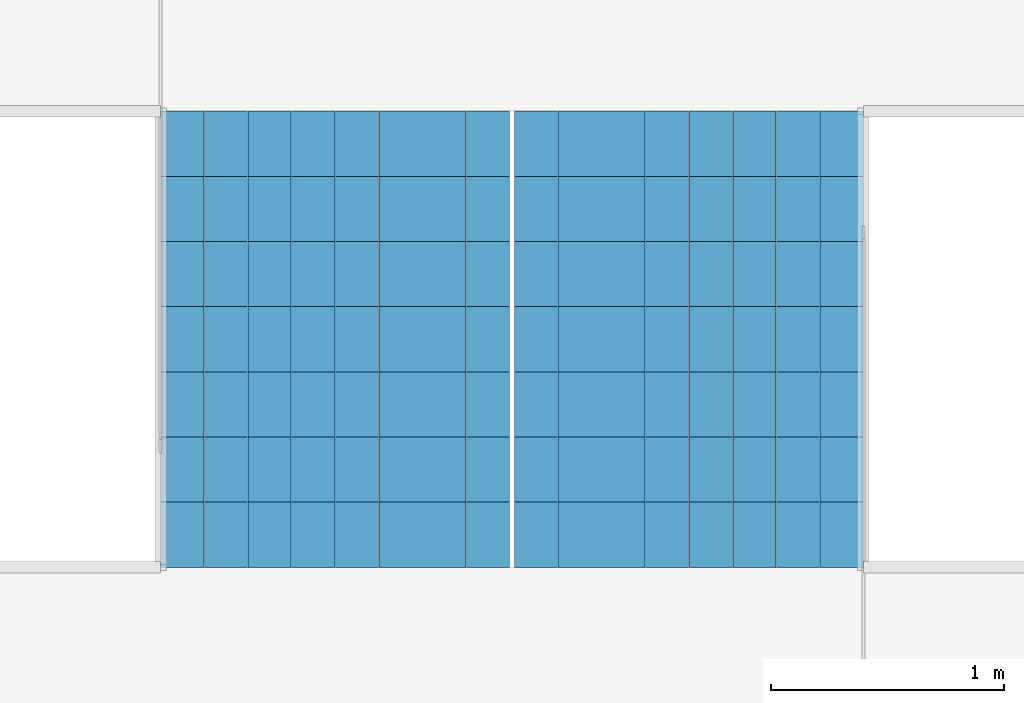
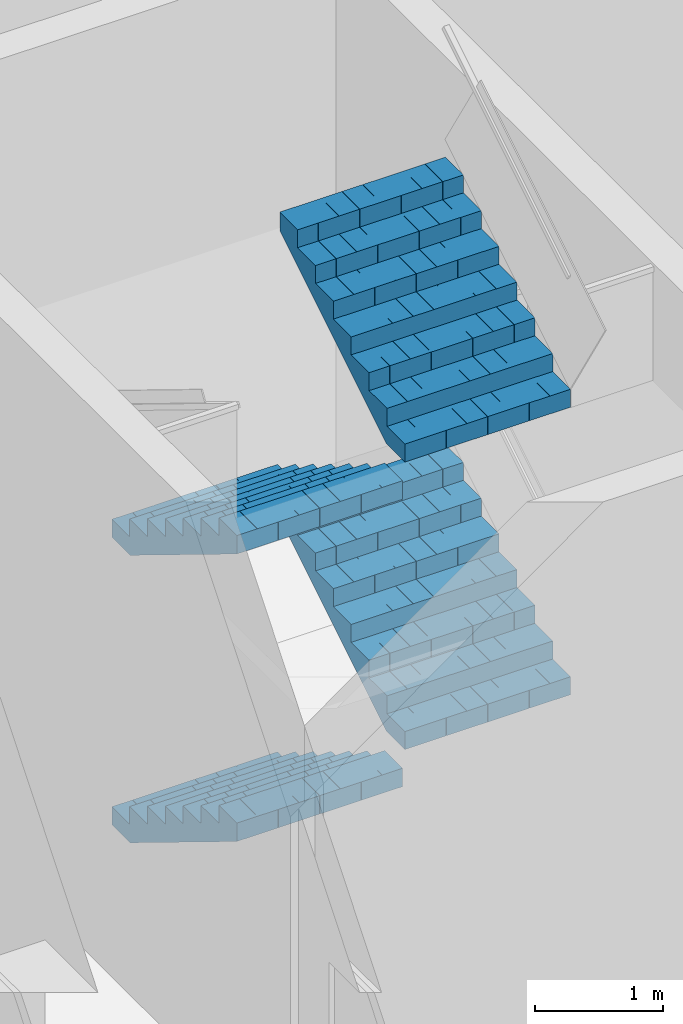
# One storey, part 25 of 27: 4 stair flights, 1 element without a shape of its own.
"""IFC4 building model written with IfcOpenShell, lengths in metres."""

from ifc_helpers import new_model, si_unit, direction, frame, origin, place, context, subcontext, project, spatial, polyline, outline, extrude, material, type_object, element, aggregate, save


model = new_model("IFC4")

# Units and contexts
model_context = context("Model", 3, precision=1e-05, world=origin(), true_north=direction((0.0, 1.0)))
body_context = subcontext(model_context, "Body", "Model", "MODEL_VIEW")
ifc_project = project(units=[si_unit("LENGTHUNIT", "METRE"), si_unit("AREAUNIT", "SQUARE_METRE"), si_unit("VOLUMEUNIT", "CUBIC_METRE"), si_unit("PLANEANGLEUNIT", "RADIAN"), si_unit("MASSUNIT", "GRAM", prefix="KILO")], contexts=[model_context])

# Site, building, storey
site_placement = place(None, origin())
site = spatial("IfcSite", under=ifc_project, at=site_placement, CompositionType="ELEMENT")
building_placement = place(site_placement, origin())
building = spatial("IfcBuilding", under=site, at=building_placement, Name="Kolab Exchange Tower", CompositionType="ELEMENT")
storey_placement = place(building_placement, frame((0.0, 0.0, 22.39990234375)))
storey = spatial("IfcBuildingStorey", under=building, at=storey_placement, Name="L04", CompositionType="ELEMENT", Elevation=22.39990234375)

# Stair, stair flights
ifc_material = material(Name="Concrete C50/60", Category="concrete")
stair_type = type_object("IfcStairType", Name="STAIR ST4 RISER 171.9", PredefinedType="DOUBLE_RETURN_STAIR", material=ifc_material)
stair_placement = place(storey_placement, origin())
stair = element("IfcStair", 1, at=stair_placement, inside=storey, type_object=stair_type, Name="Stair 4", PredefinedType="DOUBLE_RETURN_STAIR")
stair_flight_type = type_object("IfcStairFlightType", Name="STAIR FLIGHT 1500 RISER 171.9", PredefinedType="STRAIGHT", material=ifc_material)
stair_flight_1_placement = place(storey_placement, frame((18.43994140625, 0.64990234375, 0.0), z_axis=(0.0, 0.0, 1.0), x_axis=(0.0, -1.0, 0.0)))
stair_flight_1 = element("IfcStairFlight", 2, at=stair_flight_1_placement, type_object=stair_flight_type, Name="ST4 flight 1", NumberOfRisers=8, NumberOfTreads=7, PredefinedType="STRAIGHT", RiserHeight=0.171875, TreadLength=0.28, context=body_context, shape_type="SweptSolid", body=[
    extrude(outline(polyline([(0.0, 0.0), (0.0, 0.171875), (0.280029296875, 0.171875), (0.280029296875, 0.34375), (0.56005859375, 0.34375), (0.56005859375, 0.515625), (0.840087890625, 0.515625), (0.840087890625, 0.6875), (1.1201171875, 0.6875), (1.1201171875, 0.859375), (1.39990234375, 0.859375), (1.39990234375, 1.03125), (1.679931640625, 1.03125), (1.679931640625, 1.203125), (1.9599609375, 1.203125), (1.9599609375, 1.375), (1.9599609375, 1.02734375), (0.28662109375, 0.0), (0.0, 0.0)])), frame((0.0, 0.75, 0.0), z_axis=(0.0, -1.0, 0.0), x_axis=(1.0, 0.0, 0.0)), (0.0, 0.0, 1.0), 0.185791015625),
    extrude(outline(polyline([(0.0, 0.0), (0.0, 0.171875), (0.280029296875, 0.171875), (0.280029296875, 0.34375), (0.56005859375, 0.34375), (0.56005859375, 0.515625), (0.840087890625, 0.515625), (0.840087890625, 0.6875), (1.1201171875, 0.6875), (1.1201171875, 0.859375), (1.39990234375, 0.859375), (1.39990234375, 1.03125), (1.679931640625, 1.03125), (1.679931640625, 1.203125), (1.9599609375, 1.203125), (1.9599609375, 1.375), (1.9599609375, 1.02734375), (0.28662109375, 0.0), (0.0, 0.0)])), frame((0.0, 0.562255859375, 0.0), z_axis=(0.0, -1.0, 0.0), x_axis=(1.0, 0.0, 0.0)), (0.0, 0.0, 1.0), 0.185791015625),
    extrude(outline(polyline([(0.0, 0.0), (0.0, 0.171875), (0.280029296875, 0.171875), (0.280029296875, 0.34375), (0.56005859375, 0.34375), (0.56005859375, 0.515625), (0.840087890625, 0.515625), (0.840087890625, 0.6875), (1.1201171875, 0.6875), (1.1201171875, 0.859375), (1.39990234375, 0.859375), (1.39990234375, 1.03125), (1.679931640625, 1.03125), (1.679931640625, 1.203125), (1.9599609375, 1.203125), (1.9599609375, 1.375), (1.9599609375, 1.02734375), (0.28662109375, 0.0), (0.0, 0.0)])), frame((0.0, 0.37451171875, 0.0), z_axis=(0.0, -1.0, 0.0), x_axis=(1.0, 0.0, 0.0)), (0.0, 0.0, 1.0), 0.185791015625),
    extrude(outline(polyline([(0.0, 0.0), (0.0, 0.171875), (0.280029296875, 0.171875), (0.280029296875, 0.34375), (0.56005859375, 0.34375), (0.56005859375, 0.515625), (0.840087890625, 0.515625), (0.840087890625, 0.6875), (1.1201171875, 0.6875), (1.1201171875, 0.859375), (1.39990234375, 0.859375), (1.39990234375, 1.03125), (1.679931640625, 1.03125), (1.679931640625, 1.203125), (1.9599609375, 1.203125), (1.9599609375, 1.375), (1.9599609375, 1.02734375), (0.28662109375, 0.0), (0.0, 0.0)])), frame((0.0, 0.186767578125, 0.0), z_axis=(0.0, -1.0, 0.0), x_axis=(1.0, 0.0, 0.0)), (0.0, 0.0, 1.0), 0.185791015625),
    extrude(outline(polyline([(0.0, 0.0), (0.0, 0.171875), (0.280029296875, 0.171875), (0.280029296875, 0.34375), (0.56005859375, 0.34375), (0.56005859375, 0.515625), (0.840087890625, 0.515625), (0.840087890625, 0.6875), (1.1201171875, 0.6875), (1.1201171875, 0.859375), (1.39990234375, 0.859375), (1.39990234375, 1.03125), (1.679931640625, 1.03125), (1.679931640625, 1.203125), (1.9599609375, 1.203125), (1.9599609375, 1.375), (1.9599609375, 1.02734375), (0.28662109375, 0.0), (0.0, 0.0)])), frame((0.0, -0.0009765625, 0.0), z_axis=(0.0, -1.0, 0.0), x_axis=(1.0, 0.0, 0.0)), (0.0, 0.0, 1.0), 0.185791015625),
    extrude(outline(polyline([(0.0, 0.0), (0.0, 0.171875), (0.280029296875, 0.171875), (0.280029296875, 0.34375), (0.56005859375, 0.34375), (0.56005859375, 0.515625), (0.840087890625, 0.515625), (0.840087890625, 0.6875), (1.1201171875, 0.6875), (1.1201171875, 0.859375), (1.39990234375, 0.859375), (1.39990234375, 1.03125), (1.679931640625, 1.03125), (1.679931640625, 1.203125), (1.9599609375, 1.203125), (1.9599609375, 1.375), (1.9599609375, 1.02734375), (0.28662109375, 0.0), (0.0, 0.0)])), frame((0.0, -0.188720703125, 0.0), z_axis=(0.0, -1.0, 0.0), x_axis=(1.0, 0.0, 0.0)), (0.0, 0.0, 1.0), 0.185791015625),
    extrude(outline(polyline([(0.0, 0.0), (0.0, 0.171875), (0.280029296875, 0.171875), (0.280029296875, 0.34375), (0.56005859375, 0.34375), (0.56005859375, 0.515625), (0.840087890625, 0.515625), (0.840087890625, 0.6875), (1.1201171875, 0.6875), (1.1201171875, 0.859375), (1.39990234375, 0.859375), (1.39990234375, 1.03125), (1.679931640625, 1.03125), (1.679931640625, 1.203125), (1.9599609375, 1.203125), (1.9599609375, 1.375), (1.9599609375, 1.02734375), (0.28662109375, 0.0), (0.0, 0.0)])), frame((0.0, -0.37646484375, 0.0), z_axis=(0.0, -1.0, 0.0), x_axis=(1.0, 0.0, 0.0)), (0.0, 0.0, 1.0), 0.185791015625),
    extrude(outline(polyline([(0.0, 0.0), (0.0, 0.171875), (0.280029296875, 0.171875), (0.280029296875, 0.34375), (0.56005859375, 0.34375), (0.56005859375, 0.515625), (0.840087890625, 0.515625), (0.840087890625, 0.6875), (1.1201171875, 0.6875), (1.1201171875, 0.859375), (1.39990234375, 0.859375), (1.39990234375, 1.03125), (1.679931640625, 1.03125), (1.679931640625, 1.203125), (1.9599609375, 1.203125), (1.9599609375, 1.375), (1.9599609375, 1.02734375), (0.28662109375, 0.0), (0.0, 0.0)])), frame((0.0, -0.564208984375, 0.0), z_axis=(0.0, -1.0, 0.0), x_axis=(1.0, 0.0, 0.0)), (0.0, 0.0, 1.0), 0.185791015625),
])
stair_flight_2_placement = place(storey_placement, frame((19.9599609375, -1.31005859375, 1.375), z_axis=(0.0, 0.0, 1.0), x_axis=(0.0, 1.0, 0.0)))
stair_flight_2 = element("IfcStairFlight", 3, at=stair_flight_2_placement, type_object=stair_flight_type, Name="ST4 flight 2", NumberOfRisers=8, NumberOfTreads=7, PredefinedType="STRAIGHT", RiserHeight=0.171875, TreadLength=0.28, context=body_context, shape_type="SweptSolid", body=[
    extrude(outline(polyline([(0.0, 0.0), (0.0, 0.171875), (0.280029296875, 0.171875), (0.280029296875, 0.34375), (0.56005859375, 0.34375), (0.56005859375, 0.515625), (0.840087890625, 0.515625), (0.840087890625, 0.6875), (1.1201171875, 0.6875), (1.1201171875, 0.859375), (1.39990234375, 0.859375), (1.39990234375, 1.03125), (1.679931640625, 1.03125), (1.679931640625, 1.203125), (1.9599609375, 1.203125), (1.9599609375, 1.375), (1.9599609375, 1.02734375), (0.28662109375, 0.0), (0.0, 0.0)])), frame((0.0, 0.75, 0.0), z_axis=(0.0, -1.0, 0.0), x_axis=(1.0, 0.0, 0.0)), (0.0, 0.0, 1.0), 0.185791015625),
    extrude(outline(polyline([(0.0, 0.0), (0.0, 0.171875), (0.280029296875, 0.171875), (0.280029296875, 0.34375), (0.56005859375, 0.34375), (0.56005859375, 0.515625), (0.840087890625, 0.515625), (0.840087890625, 0.6875), (1.1201171875, 0.6875), (1.1201171875, 0.859375), (1.39990234375, 0.859375), (1.39990234375, 1.03125), (1.679931640625, 1.03125), (1.679931640625, 1.203125), (1.9599609375, 1.203125), (1.9599609375, 1.375), (1.9599609375, 1.02734375), (0.28662109375, 0.0), (0.0, 0.0)])), frame((0.0, 0.562255859375, 0.0), z_axis=(0.0, -1.0, 0.0), x_axis=(1.0, 0.0, 0.0)), (0.0, 0.0, 1.0), 0.185791015625),
    extrude(outline(polyline([(0.0, 0.0), (0.0, 0.171875), (0.280029296875, 0.171875), (0.280029296875, 0.34375), (0.56005859375, 0.34375), (0.56005859375, 0.515625), (0.840087890625, 0.515625), (0.840087890625, 0.6875), (1.1201171875, 0.6875), (1.1201171875, 0.859375), (1.39990234375, 0.859375), (1.39990234375, 1.03125), (1.679931640625, 1.03125), (1.679931640625, 1.203125), (1.9599609375, 1.203125), (1.9599609375, 1.375), (1.9599609375, 1.02734375), (0.28662109375, 0.0), (0.0, 0.0)])), frame((0.0, 0.37451171875, 0.0), z_axis=(0.0, -1.0, 0.0), x_axis=(1.0, 0.0, 0.0)), (0.0, 0.0, 1.0), 0.185791015625),
    extrude(outline(polyline([(0.0, 0.0), (0.0, 0.171875), (0.280029296875, 0.171875), (0.280029296875, 0.34375), (0.56005859375, 0.34375), (0.56005859375, 0.515625), (0.840087890625, 0.515625), (0.840087890625, 0.6875), (1.1201171875, 0.6875), (1.1201171875, 0.859375), (1.39990234375, 0.859375), (1.39990234375, 1.03125), (1.679931640625, 1.03125), (1.679931640625, 1.203125), (1.9599609375, 1.203125), (1.9599609375, 1.375), (1.9599609375, 1.02734375), (0.28662109375, 0.0), (0.0, 0.0)])), frame((0.0, 0.186767578125, 0.0), z_axis=(0.0, -1.0, 0.0), x_axis=(1.0, 0.0, 0.0)), (0.0, 0.0, 1.0), 0.185791015625),
    extrude(outline(polyline([(0.0, 0.0), (0.0, 0.171875), (0.280029296875, 0.171875), (0.280029296875, 0.34375), (0.56005859375, 0.34375), (0.56005859375, 0.515625), (0.840087890625, 0.515625), (0.840087890625, 0.6875), (1.1201171875, 0.6875), (1.1201171875, 0.859375), (1.39990234375, 0.859375), (1.39990234375, 1.03125), (1.679931640625, 1.03125), (1.679931640625, 1.203125), (1.9599609375, 1.203125), (1.9599609375, 1.375), (1.9599609375, 1.02734375), (0.28662109375, 0.0), (0.0, 0.0)])), frame((0.0, -0.0009765625, 0.0), z_axis=(0.0, -1.0, 0.0), x_axis=(1.0, 0.0, 0.0)), (0.0, 0.0, 1.0), 0.185791015625),
    extrude(outline(polyline([(0.0, 0.0), (0.0, 0.171875), (0.280029296875, 0.171875), (0.280029296875, 0.34375), (0.56005859375, 0.34375), (0.56005859375, 0.515625), (0.840087890625, 0.515625), (0.840087890625, 0.6875), (1.1201171875, 0.6875), (1.1201171875, 0.859375), (1.39990234375, 0.859375), (1.39990234375, 1.03125), (1.679931640625, 1.03125), (1.679931640625, 1.203125), (1.9599609375, 1.203125), (1.9599609375, 1.375), (1.9599609375, 1.02734375), (0.28662109375, 0.0), (0.0, 0.0)])), frame((0.0, -0.188720703125, 0.0), z_axis=(0.0, -1.0, 0.0), x_axis=(1.0, 0.0, 0.0)), (0.0, 0.0, 1.0), 0.185791015625),
    extrude(outline(polyline([(0.0, 0.0), (0.0, 0.171875), (0.280029296875, 0.171875), (0.280029296875, 0.34375), (0.56005859375, 0.34375), (0.56005859375, 0.515625), (0.840087890625, 0.515625), (0.840087890625, 0.6875), (1.1201171875, 0.6875), (1.1201171875, 0.859375), (1.39990234375, 0.859375), (1.39990234375, 1.03125), (1.679931640625, 1.03125), (1.679931640625, 1.203125), (1.9599609375, 1.203125), (1.9599609375, 1.375), (1.9599609375, 1.02734375), (0.28662109375, 0.0), (0.0, 0.0)])), frame((0.0, -0.37646484375, 0.0), z_axis=(0.0, -1.0, 0.0), x_axis=(1.0, 0.0, 0.0)), (0.0, 0.0, 1.0), 0.185791015625),
    extrude(outline(polyline([(0.0, 0.0), (0.0, 0.171875), (0.280029296875, 0.171875), (0.280029296875, 0.34375), (0.56005859375, 0.34375), (0.56005859375, 0.515625), (0.840087890625, 0.515625), (0.840087890625, 0.6875), (1.1201171875, 0.6875), (1.1201171875, 0.859375), (1.39990234375, 0.859375), (1.39990234375, 1.03125), (1.679931640625, 1.03125), (1.679931640625, 1.203125), (1.9599609375, 1.203125), (1.9599609375, 1.375), (1.9599609375, 1.02734375), (0.28662109375, 0.0), (0.0, 0.0)])), frame((0.0, -0.564208984375, 0.0), z_axis=(0.0, -1.0, 0.0), x_axis=(1.0, 0.0, 0.0)), (0.0, 0.0, 1.0), 0.185791015625),
])
stair_flight_3_placement = place(storey_placement, frame((18.43994140625, 0.64990234375, 2.75), z_axis=(0.0, 0.0, 1.0), x_axis=(0.0, -1.0, 0.0)))
stair_flight_3 = element("IfcStairFlight", 4, at=stair_flight_3_placement, type_object=stair_flight_type, Name="ST4 flight 3", NumberOfRisers=8, NumberOfTreads=7, PredefinedType="STRAIGHT", RiserHeight=0.171875, TreadLength=0.28, context=body_context, shape_type="SweptSolid", body=[
    extrude(outline(polyline([(0.0, 0.0), (0.0, 0.171875), (0.280029296875, 0.171875), (0.280029296875, 0.34375), (0.56005859375, 0.34375), (0.56005859375, 0.515625), (0.840087890625, 0.515625), (0.840087890625, 0.6875), (1.1201171875, 0.6875), (1.1201171875, 0.859375), (1.39990234375, 0.859375), (1.39990234375, 1.03125), (1.679931640625, 1.03125), (1.679931640625, 1.203125), (1.9599609375, 1.203125), (1.9599609375, 1.375), (1.9599609375, 1.02734375), (0.28662109375, 0.0), (0.0, 0.0)])), frame((0.0, 0.75, 0.0), z_axis=(0.0, -1.0, 0.0), x_axis=(1.0, 0.0, 0.0)), (0.0, 0.0, 1.0), 0.185791015625),
    extrude(outline(polyline([(0.0, 0.0), (0.0, 0.171875), (0.280029296875, 0.171875), (0.280029296875, 0.34375), (0.56005859375, 0.34375), (0.56005859375, 0.515625), (0.840087890625, 0.515625), (0.840087890625, 0.6875), (1.1201171875, 0.6875), (1.1201171875, 0.859375), (1.39990234375, 0.859375), (1.39990234375, 1.03125), (1.679931640625, 1.03125), (1.679931640625, 1.203125), (1.9599609375, 1.203125), (1.9599609375, 1.375), (1.9599609375, 1.02734375), (0.28662109375, 0.0), (0.0, 0.0)])), frame((0.0, 0.562255859375, 0.0), z_axis=(0.0, -1.0, 0.0), x_axis=(1.0, 0.0, 0.0)), (0.0, 0.0, 1.0), 0.185791015625),
    extrude(outline(polyline([(0.0, 0.0), (0.0, 0.171875), (0.280029296875, 0.171875), (0.280029296875, 0.34375), (0.56005859375, 0.34375), (0.56005859375, 0.515625), (0.840087890625, 0.515625), (0.840087890625, 0.6875), (1.1201171875, 0.6875), (1.1201171875, 0.859375), (1.39990234375, 0.859375), (1.39990234375, 1.03125), (1.679931640625, 1.03125), (1.679931640625, 1.203125), (1.9599609375, 1.203125), (1.9599609375, 1.375), (1.9599609375, 1.02734375), (0.28662109375, 0.0), (0.0, 0.0)])), frame((0.0, 0.37451171875, 0.0), z_axis=(0.0, -1.0, 0.0), x_axis=(1.0, 0.0, 0.0)), (0.0, 0.0, 1.0), 0.185791015625),
    extrude(outline(polyline([(0.0, 0.0), (0.0, 0.171875), (0.280029296875, 0.171875), (0.280029296875, 0.34375), (0.56005859375, 0.34375), (0.56005859375, 0.515625), (0.840087890625, 0.515625), (0.840087890625, 0.6875), (1.1201171875, 0.6875), (1.1201171875, 0.859375), (1.39990234375, 0.859375), (1.39990234375, 1.03125), (1.679931640625, 1.03125), (1.679931640625, 1.203125), (1.9599609375, 1.203125), (1.9599609375, 1.375), (1.9599609375, 1.02734375), (0.28662109375, 0.0), (0.0, 0.0)])), frame((0.0, 0.186767578125, 0.0), z_axis=(0.0, -1.0, 0.0), x_axis=(1.0, 0.0, 0.0)), (0.0, 0.0, 1.0), 0.185791015625),
    extrude(outline(polyline([(0.0, 0.0), (0.0, 0.171875), (0.280029296875, 0.171875), (0.280029296875, 0.34375), (0.56005859375, 0.34375), (0.56005859375, 0.515625), (0.840087890625, 0.515625), (0.840087890625, 0.6875), (1.1201171875, 0.6875), (1.1201171875, 0.859375), (1.39990234375, 0.859375), (1.39990234375, 1.03125), (1.679931640625, 1.03125), (1.679931640625, 1.203125), (1.9599609375, 1.203125), (1.9599609375, 1.375), (1.9599609375, 1.02734375), (0.28662109375, 0.0), (0.0, 0.0)])), frame((0.0, -0.0009765625, 0.0), z_axis=(0.0, -1.0, 0.0), x_axis=(1.0, 0.0, 0.0)), (0.0, 0.0, 1.0), 0.185791015625),
    extrude(outline(polyline([(0.0, 0.0), (0.0, 0.171875), (0.280029296875, 0.171875), (0.280029296875, 0.34375), (0.56005859375, 0.34375), (0.56005859375, 0.515625), (0.840087890625, 0.515625), (0.840087890625, 0.6875), (1.1201171875, 0.6875), (1.1201171875, 0.859375), (1.39990234375, 0.859375), (1.39990234375, 1.03125), (1.679931640625, 1.03125), (1.679931640625, 1.203125), (1.9599609375, 1.203125), (1.9599609375, 1.375), (1.9599609375, 1.02734375), (0.28662109375, 0.0), (0.0, 0.0)])), frame((0.0, -0.188720703125, 0.0), z_axis=(0.0, -1.0, 0.0), x_axis=(1.0, 0.0, 0.0)), (0.0, 0.0, 1.0), 0.185791015625),
    extrude(outline(polyline([(0.0, 0.0), (0.0, 0.171875), (0.280029296875, 0.171875), (0.280029296875, 0.34375), (0.56005859375, 0.34375), (0.56005859375, 0.515625), (0.840087890625, 0.515625), (0.840087890625, 0.6875), (1.1201171875, 0.6875), (1.1201171875, 0.859375), (1.39990234375, 0.859375), (1.39990234375, 1.03125), (1.679931640625, 1.03125), (1.679931640625, 1.203125), (1.9599609375, 1.203125), (1.9599609375, 1.375), (1.9599609375, 1.02734375), (0.28662109375, 0.0), (0.0, 0.0)])), frame((0.0, -0.37646484375, 0.0), z_axis=(0.0, -1.0, 0.0), x_axis=(1.0, 0.0, 0.0)), (0.0, 0.0, 1.0), 0.185791015625),
    extrude(outline(polyline([(0.0, 0.0), (0.0, 0.171875), (0.280029296875, 0.171875), (0.280029296875, 0.34375), (0.56005859375, 0.34375), (0.56005859375, 0.515625), (0.840087890625, 0.515625), (0.840087890625, 0.6875), (1.1201171875, 0.6875), (1.1201171875, 0.859375), (1.39990234375, 0.859375), (1.39990234375, 1.03125), (1.679931640625, 1.03125), (1.679931640625, 1.203125), (1.9599609375, 1.203125), (1.9599609375, 1.375), (1.9599609375, 1.02734375), (0.28662109375, 0.0), (0.0, 0.0)])), frame((0.0, -0.564208984375, 0.0), z_axis=(0.0, -1.0, 0.0), x_axis=(1.0, 0.0, 0.0)), (0.0, 0.0, 1.0), 0.185791015625),
])
stair_flight_4_placement = place(storey_placement, frame((19.9599609375, -1.31005859375, 4.125), z_axis=(0.0, 0.0, 1.0), x_axis=(0.0, 1.0, 0.0)))
stair_flight_4 = element("IfcStairFlight", 5, at=stair_flight_4_placement, type_object=stair_flight_type, Name="ST4 flight 4", NumberOfRisers=8, NumberOfTreads=7, PredefinedType="STRAIGHT", RiserHeight=0.171875, TreadLength=0.28, context=body_context, shape_type="SweptSolid", body=[
    extrude(outline(polyline([(0.0, 0.0), (0.0, 0.171875), (0.280029296875, 0.171875), (0.280029296875, 0.34375), (0.56005859375, 0.34375), (0.56005859375, 0.515625), (0.840087890625, 0.515625), (0.840087890625, 0.6875), (1.1201171875, 0.6875), (1.1201171875, 0.859375), (1.39990234375, 0.859375), (1.39990234375, 1.03125), (1.679931640625, 1.03125), (1.679931640625, 1.203125), (1.9599609375, 1.203125), (1.9599609375, 1.375), (1.9599609375, 1.02734375), (0.28662109375, 0.0), (0.0, 0.0)])), frame((0.0, 0.75, 0.0), z_axis=(0.0, -1.0, 0.0), x_axis=(1.0, 0.0, 0.0)), (0.0, 0.0, 1.0), 0.185791015625),
    extrude(outline(polyline([(0.0, 0.0), (0.0, 0.171875), (0.280029296875, 0.171875), (0.280029296875, 0.34375), (0.56005859375, 0.34375), (0.56005859375, 0.515625), (0.840087890625, 0.515625), (0.840087890625, 0.6875), (1.1201171875, 0.6875), (1.1201171875, 0.859375), (1.39990234375, 0.859375), (1.39990234375, 1.03125), (1.679931640625, 1.03125), (1.679931640625, 1.203125), (1.9599609375, 1.203125), (1.9599609375, 1.375), (1.9599609375, 1.02734375), (0.28662109375, 0.0), (0.0, 0.0)])), frame((0.0, 0.562255859375, 0.0), z_axis=(0.0, -1.0, 0.0), x_axis=(1.0, 0.0, 0.0)), (0.0, 0.0, 1.0), 0.185791015625),
    extrude(outline(polyline([(0.0, 0.0), (0.0, 0.171875), (0.280029296875, 0.171875), (0.280029296875, 0.34375), (0.56005859375, 0.34375), (0.56005859375, 0.515625), (0.840087890625, 0.515625), (0.840087890625, 0.6875), (1.1201171875, 0.6875), (1.1201171875, 0.859375), (1.39990234375, 0.859375), (1.39990234375, 1.03125), (1.679931640625, 1.03125), (1.679931640625, 1.203125), (1.9599609375, 1.203125), (1.9599609375, 1.375), (1.9599609375, 1.02734375), (0.28662109375, 0.0), (0.0, 0.0)])), frame((0.0, 0.37451171875, 0.0), z_axis=(0.0, -1.0, 0.0), x_axis=(1.0, 0.0, 0.0)), (0.0, 0.0, 1.0), 0.185791015625),
    extrude(outline(polyline([(0.0, 0.0), (0.0, 0.171875), (0.280029296875, 0.171875), (0.280029296875, 0.34375), (0.56005859375, 0.34375), (0.56005859375, 0.515625), (0.840087890625, 0.515625), (0.840087890625, 0.6875), (1.1201171875, 0.6875), (1.1201171875, 0.859375), (1.39990234375, 0.859375), (1.39990234375, 1.03125), (1.679931640625, 1.03125), (1.679931640625, 1.203125), (1.9599609375, 1.203125), (1.9599609375, 1.375), (1.9599609375, 1.02734375), (0.28662109375, 0.0), (0.0, 0.0)])), frame((0.0, 0.186767578125, 0.0), z_axis=(0.0, -1.0, 0.0), x_axis=(1.0, 0.0, 0.0)), (0.0, 0.0, 1.0), 0.185791015625),
    extrude(outline(polyline([(0.0, 0.0), (0.0, 0.171875), (0.280029296875, 0.171875), (0.280029296875, 0.34375), (0.56005859375, 0.34375), (0.56005859375, 0.515625), (0.840087890625, 0.515625), (0.840087890625, 0.6875), (1.1201171875, 0.6875), (1.1201171875, 0.859375), (1.39990234375, 0.859375), (1.39990234375, 1.03125), (1.679931640625, 1.03125), (1.679931640625, 1.203125), (1.9599609375, 1.203125), (1.9599609375, 1.375), (1.9599609375, 1.02734375), (0.28662109375, 0.0), (0.0, 0.0)])), frame((0.0, -0.0009765625, 0.0), z_axis=(0.0, -1.0, 0.0), x_axis=(1.0, 0.0, 0.0)), (0.0, 0.0, 1.0), 0.185791015625),
    extrude(outline(polyline([(0.0, 0.0), (0.0, 0.171875), (0.280029296875, 0.171875), (0.280029296875, 0.34375), (0.56005859375, 0.34375), (0.56005859375, 0.515625), (0.840087890625, 0.515625), (0.840087890625, 0.6875), (1.1201171875, 0.6875), (1.1201171875, 0.859375), (1.39990234375, 0.859375), (1.39990234375, 1.03125), (1.679931640625, 1.03125), (1.679931640625, 1.203125), (1.9599609375, 1.203125), (1.9599609375, 1.375), (1.9599609375, 1.02734375), (0.28662109375, 0.0), (0.0, 0.0)])), frame((0.0, -0.188720703125, 0.0), z_axis=(0.0, -1.0, 0.0), x_axis=(1.0, 0.0, 0.0)), (0.0, 0.0, 1.0), 0.185791015625),
    extrude(outline(polyline([(0.0, 0.0), (0.0, 0.171875), (0.280029296875, 0.171875), (0.280029296875, 0.34375), (0.56005859375, 0.34375), (0.56005859375, 0.515625), (0.840087890625, 0.515625), (0.840087890625, 0.6875), (1.1201171875, 0.6875), (1.1201171875, 0.859375), (1.39990234375, 0.859375), (1.39990234375, 1.03125), (1.679931640625, 1.03125), (1.679931640625, 1.203125), (1.9599609375, 1.203125), (1.9599609375, 1.375), (1.9599609375, 1.02734375), (0.28662109375, 0.0), (0.0, 0.0)])), frame((0.0, -0.37646484375, 0.0), z_axis=(0.0, -1.0, 0.0), x_axis=(1.0, 0.0, 0.0)), (0.0, 0.0, 1.0), 0.185791015625),
    extrude(outline(polyline([(0.0, 0.0), (0.0, 0.171875), (0.280029296875, 0.171875), (0.280029296875, 0.34375), (0.56005859375, 0.34375), (0.56005859375, 0.515625), (0.840087890625, 0.515625), (0.840087890625, 0.6875), (1.1201171875, 0.6875), (1.1201171875, 0.859375), (1.39990234375, 0.859375), (1.39990234375, 1.03125), (1.679931640625, 1.03125), (1.679931640625, 1.203125), (1.9599609375, 1.203125), (1.9599609375, 1.375), (1.9599609375, 1.02734375), (0.28662109375, 0.0), (0.0, 0.0)])), frame((0.0, -0.564208984375, 0.0), z_axis=(0.0, -1.0, 0.0), x_axis=(1.0, 0.0, 0.0)), (0.0, 0.0, 1.0), 0.185791015625),
])
aggregate(stair, [stair_flight_1, stair_flight_2, stair_flight_3, stair_flight_4])

save(model, "model.ifc")
